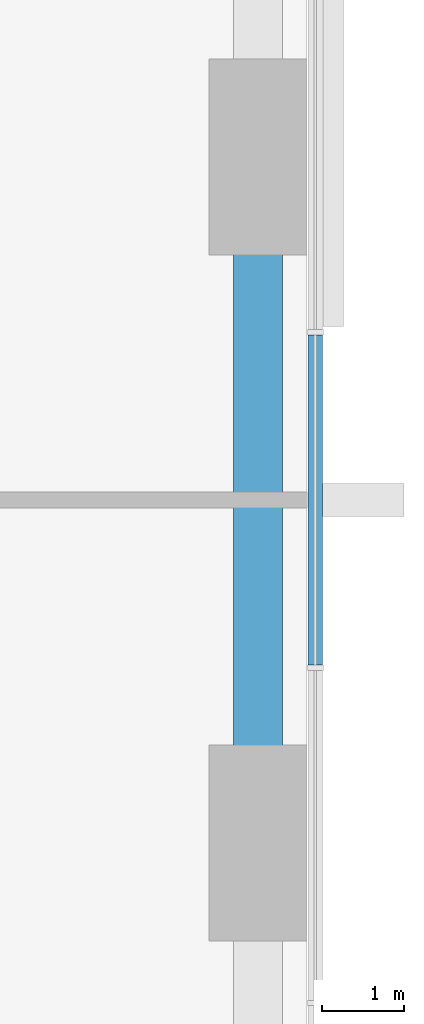
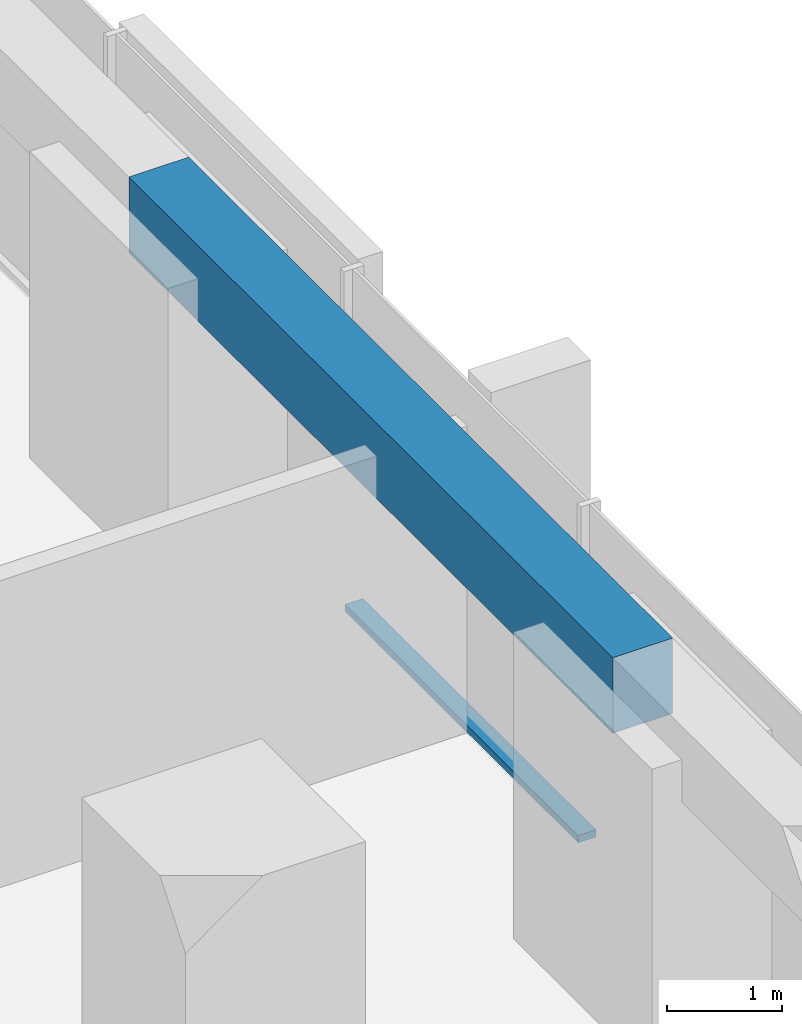
# One storey, part 5 of 17: 1 beam, 1 member, 1 element without a shape of its own.
"""IFC4 building model written with IfcOpenShell, lengths in metres."""

from ifc_helpers import new_model, si_unit, direction, frame, origin, origin_2d, place, context, subcontext, project, spatial, rectangle, extrude, material, material_profile, profile_set, type_object, element, aggregate, save


model = new_model("IFC4")

# Units and contexts
model_context = context("Model", 3, precision=1e-05, world=origin(), true_north=direction((0.0, 1.0)))
body_context = subcontext(model_context, "Body", "Model", "MODEL_VIEW")
ifc_project = project(units=[si_unit("LENGTHUNIT", "METRE"), si_unit("AREAUNIT", "SQUARE_METRE"), si_unit("VOLUMEUNIT", "CUBIC_METRE"), si_unit("PLANEANGLEUNIT", "RADIAN"), si_unit("MASSUNIT", "GRAM", prefix="KILO")], contexts=[model_context])

# Site, building, storey
site_placement = place(None, origin())
site = spatial("IfcSite", under=ifc_project, at=site_placement, CompositionType="ELEMENT")
building_placement = place(site_placement, origin())
building = spatial("IfcBuilding", under=site, at=building_placement, Name="Dunama Terrace Hotel", CompositionType="ELEMENT")
storey_placement = place(building_placement, frame((0.0, 0.0, 73.800048828125)))
storey = spatial("IfcBuildingStorey", under=building, at=storey_placement, Name="L18", CompositionType="ELEMENT", Elevation=73.800048828125)

# Curtain wall, member
ifc_material_1 = material(Name="Aluminium curtain wall system", Category="aluminium")
curtain_wall_type = type_object("IfcCurtainWallType", Name="Unitised fritted glass wall CW-A", PredefinedType="NOTDEFINED", material=ifc_material_1)
curtain_wall_placement = place(storey_placement, origin())
curtain_wall = element("IfcCurtainWall", 1, at=curtain_wall_placement, inside=storey, type_object=curtain_wall_type, Name="Unitised fritted glass wall CW-A L18", PredefinedType="NOTDEFINED")
ifc_material_2 = material(Name="Aluminium transom", Category="aluminium")
ifc_material_profile_1 = material_profile(ifc_material_2, rectangle(XDim=0.179931640625, YDim=0.074951171875, at=origin_2d()), Name="CWA TRANSOM 180X75")
ifc_profile_set_1 = profile_set([ifc_material_profile_1], Name="Aluminium transom")
member_type = type_object("IfcMemberType", Name="CWA transom 180x75", PredefinedType="USERDEFINED", material=ifc_profile_set_1)
member_placement = place(storey_placement, frame((58.89990234375, 27.37890625, 0.037353515625), z_axis=(0.0, 1.0, 0.0), x_axis=(-1.0, 0.0, 0.0)))
member = element("IfcMember", 2, at=member_placement, type_object=member_type, Name="CWA transom", ObjectType="TRANSOM", PredefinedType="USERDEFINED", context=body_context, shape_type="SweptSolid", body=[
    extrude(rectangle(XDim=0.179931640625, YDim=0.074951171875, at=origin_2d()), origin(), (0.0, 0.0, 1.0), 4.0419921875),
])
aggregate(curtain_wall, [member])

# Beam
ifc_material_3 = material(Name="Concrete C40/50", Category="concrete")
ifc_material_profile_2 = material_profile(ifc_material_3, rectangle(XDim=0.60009765625, YDim=0.800048828125, at=origin_2d()), Name="RC 600x800")
ifc_profile_set_2 = profile_set([ifc_material_profile_2], Name="Concrete C40/50")
beam_type = type_object("IfcBeamType", Name="Edge beam RC 600x800", PredefinedType="SPANDREL", material=ifc_profile_set_2)
beam_placement = place(storey_placement, frame((58.199951171875, 25.199951171875, 3.199951171875), z_axis=(0.0, 1.0, 0.0), x_axis=(-1.0, 0.0, 0.0)))
element("IfcBeam", 3, at=beam_placement, inside=storey, type_object=beam_type, Name="Edge beam under L19", PredefinedType="SPANDREL", context=body_context, shape_type="SweptSolid", body=[
    extrude(rectangle(XDim=0.60009765625, YDim=0.800048828125, at=origin_2d()), origin(), (0.0, 0.0, 1.0), 8.400146484375),
])

save(model, "model.ifc")
